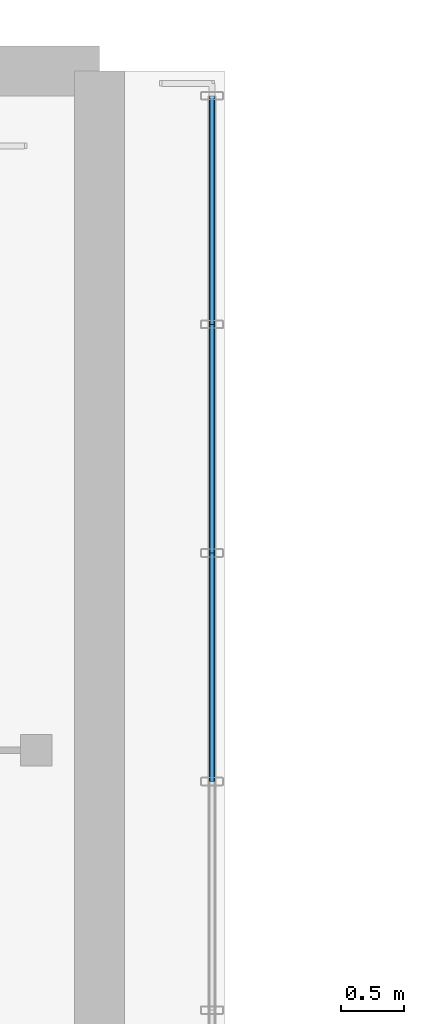
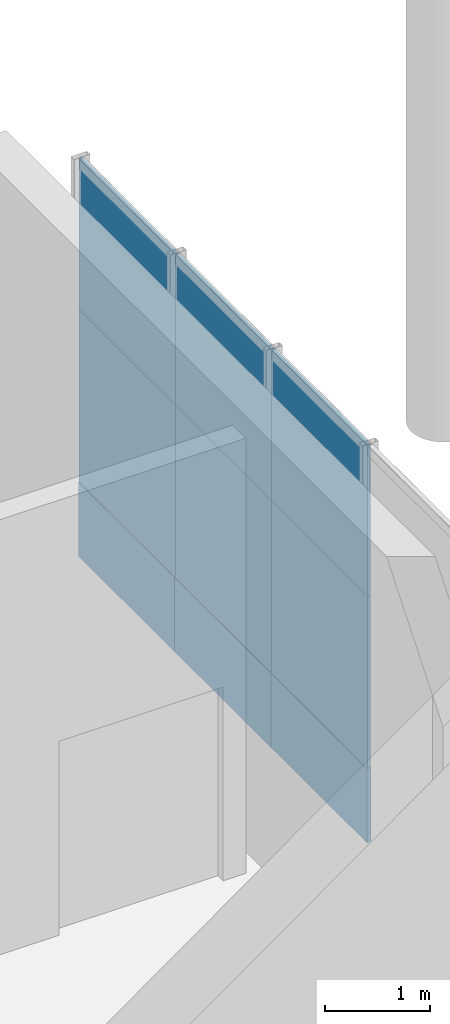
# One storey, part 136 of 176: 9 plates, 1 element without a shape of its own.
"""IFC4 building model written with IfcOpenShell, lengths in metres."""

from ifc_helpers import new_model, si_unit, direction, frame, origin, origin_2d, place, context, subcontext, project, spatial, rectangle, extrude, material, layer, layer_set, type_object, element, aggregate, save


model = new_model("IFC4")

# Units and contexts
model_context = context("Model", 3, precision=1e-05, world=origin(), true_north=direction((0.0, 1.0)))
body_context = subcontext(model_context, "Body", "Model", "MODEL_VIEW")
ifc_project = project(units=[si_unit("LENGTHUNIT", "METRE"), si_unit("AREAUNIT", "SQUARE_METRE"), si_unit("VOLUMEUNIT", "CUBIC_METRE"), si_unit("PLANEANGLEUNIT", "RADIAN"), si_unit("MASSUNIT", "GRAM", prefix="KILO")], contexts=[model_context])

# Site, building, storey
site_placement = place(None, origin())
site = spatial("IfcSite", under=ifc_project, at=site_placement, CompositionType="ELEMENT")
building_placement = place(site_placement, origin())
building = spatial("IfcBuilding", under=site, at=building_placement, Name="Khorjan Park Terminus", CompositionType="ELEMENT")
storey_placement = place(building_placement, frame((0.0, 0.0, 6.0)))
storey = spatial("IfcBuildingStorey", under=building, at=storey_placement, Name="L01", CompositionType="ELEMENT", Elevation=6.0)

# Curtain wall, plates
ifc_material_1 = material(Name="Anodized Bronze Aluminium", Category="aluminium")
ifc_layer_1 = layer(ifc_material_1, 0.22)
ifc_layer_set_1 = layer_set([ifc_layer_1], Name="Anodized Bronze Aluminium")
curtain_wall_type = type_object("IfcCurtainWallType", Name="CW-BRG-D", PredefinedType="NOTDEFINED", material=ifc_layer_set_1)
curtain_wall_placement = place(storey_placement, origin())
curtain_wall = element("IfcCurtainWall", 1, at=curtain_wall_placement, inside=storey, type_object=curtain_wall_type, Name="Unitized curtain wall CW-D (CW-BRE-E-4)", PredefinedType="NOTDEFINED")
ifc_material_2 = material(Name="Low-E Solar Control Double Glazing", Category="glass")
ifc_layer_2 = layer(ifc_material_2, 0.032)
ifc_layer_set_2 = layer_set([ifc_layer_2], Name="Low-E Solar Control Double Glazing")
plate_type_1 = type_object("IfcPlateType", Name="GL-VIS-32", PredefinedType="CURTAIN_PANEL", material=ifc_layer_set_2)
plate_1_placement = place(storey_placement, frame((131.9, 149.2286, 0.85), z_axis=(0.0, 0.0, 1.0), x_axis=(0.0, 1.0, 0.0)))
plate_1 = element("IfcPlate", 2, at=plate_1_placement, type_object=plate_type_1, Name="Curtain-wall panel VP-32 (CW-BRE-E-4-4-2)", PredefinedType="CURTAIN_PANEL", context=body_context, shape_type="SweptSolid", body=[
    extrude(rectangle(XDim=1.8286, YDim=0.032, at=origin_2d()), origin(), (0.0, 0.0, 1.0), 2.002),
])
plate_2_placement = place(storey_placement, frame((131.9, 149.2286, 2.852), z_axis=(0.0, 0.0, 1.0), x_axis=(0.0, 1.0, 0.0)))
plate_2 = element("IfcPlate", 3, at=plate_2_placement, type_object=plate_type_1, Name="Curtain-wall panel VP-32 (CW-BRE-E-4-4-3)", PredefinedType="CURTAIN_PANEL", context=body_context, shape_type="SweptSolid", body=[
    extrude(rectangle(XDim=1.8286, YDim=0.032, at=origin_2d()), origin(), (0.0, 0.0, 1.0), 1.758),
])
plate_3_placement = place(storey_placement, frame((131.9, 151.0571, 0.85), z_axis=(0.0, 0.0, 1.0), x_axis=(0.0, 1.0, 0.0)))
plate_3 = element("IfcPlate", 4, at=plate_3_placement, type_object=plate_type_1, Name="Curtain-wall panel VP-32 (CW-BRE-E-4-5-2)", PredefinedType="CURTAIN_PANEL", context=body_context, shape_type="SweptSolid", body=[
    extrude(rectangle(XDim=1.8286, YDim=0.032, at=origin_2d()), origin(), (0.0, 0.0, 1.0), 2.002),
])
plate_4_placement = place(storey_placement, frame((131.9, 151.0571, 2.852), z_axis=(0.0, 0.0, 1.0), x_axis=(0.0, 1.0, 0.0)))
plate_4 = element("IfcPlate", 5, at=plate_4_placement, type_object=plate_type_1, Name="Curtain-wall panel VP-32 (CW-BRE-E-4-5-3)", PredefinedType="CURTAIN_PANEL", context=body_context, shape_type="SweptSolid", body=[
    extrude(rectangle(XDim=1.8286, YDim=0.032, at=origin_2d()), origin(), (0.0, 0.0, 1.0), 1.758),
])
plate_5_placement = place(storey_placement, frame((131.9, 152.8857, 0.85), z_axis=(0.0, 0.0, 1.0), x_axis=(0.0, 1.0, 0.0)))
plate_5 = element("IfcPlate", 6, at=plate_5_placement, type_object=plate_type_1, Name="Curtain-wall panel VP-32 (CW-BRE-E-4-6-2)", PredefinedType="CURTAIN_PANEL", context=body_context, shape_type="SweptSolid", body=[
    extrude(rectangle(XDim=1.8286, YDim=0.032, at=origin_2d()), origin(), (0.0, 0.0, 1.0), 2.002),
])
plate_6_placement = place(storey_placement, frame((131.9, 152.8857, 2.852), z_axis=(0.0, 0.0, 1.0), x_axis=(0.0, 1.0, 0.0)))
plate_6 = element("IfcPlate", 7, at=plate_6_placement, type_object=plate_type_1, Name="Curtain-wall panel VP-32 (CW-BRE-E-4-6-3)", PredefinedType="CURTAIN_PANEL", context=body_context, shape_type="SweptSolid", body=[
    extrude(rectangle(XDim=1.8286, YDim=0.032, at=origin_2d()), origin(), (0.0, 0.0, 1.0), 1.758),
])
ifc_material_3 = material(Name="Insulated Anodized Bronze Spandrel Panel")
ifc_layer_3 = layer(ifc_material_3, 0.045)
ifc_layer_set_3 = layer_set([ifc_layer_3], Name="Insulated Anodized Bronze Spandrel Panel")
plate_type_2 = type_object("IfcPlateType", Name="SP-AL-45", PredefinedType="CURTAIN_PANEL", material=ifc_layer_set_3)
plate_7_placement = place(storey_placement, frame((131.9, 149.2286, -0.01), z_axis=(0.0, 0.0, 1.0), x_axis=(0.0, 1.0, 0.0)))
plate_7 = element("IfcPlate", 8, at=plate_7_placement, type_object=plate_type_2, Name="Curtain-wall panel SP-A45 (CW-BRE-E-4-4-1)", PredefinedType="CURTAIN_PANEL", context=body_context, shape_type="SweptSolid", body=[
    extrude(rectangle(XDim=1.8286, YDim=0.045, at=origin_2d()), origin(), (0.0, 0.0, 1.0), 0.86),
])
plate_8_placement = place(storey_placement, frame((131.9, 151.0571, -0.01), z_axis=(0.0, 0.0, 1.0), x_axis=(0.0, 1.0, 0.0)))
plate_8 = element("IfcPlate", 9, at=plate_8_placement, type_object=plate_type_2, Name="Curtain-wall panel SP-A45 (CW-BRE-E-4-5-1)", PredefinedType="CURTAIN_PANEL", context=body_context, shape_type="SweptSolid", body=[
    extrude(rectangle(XDim=1.8286, YDim=0.045, at=origin_2d()), origin(), (0.0, 0.0, 1.0), 0.86),
])
plate_9_placement = place(storey_placement, frame((131.9, 152.8857, -0.01), z_axis=(0.0, 0.0, 1.0), x_axis=(0.0, 1.0, 0.0)))
plate_9 = element("IfcPlate", 10, at=plate_9_placement, type_object=plate_type_2, Name="Curtain-wall panel SP-A45 (CW-BRE-E-4-6-1)", PredefinedType="CURTAIN_PANEL", context=body_context, shape_type="SweptSolid", body=[
    extrude(rectangle(XDim=1.8286, YDim=0.045, at=origin_2d()), origin(), (0.0, 0.0, 1.0), 0.86),
])
aggregate(curtain_wall, [plate_7, plate_1, plate_2, plate_8, plate_3, plate_4, plate_9, plate_5, plate_6])

save(model, "model.ifc")
